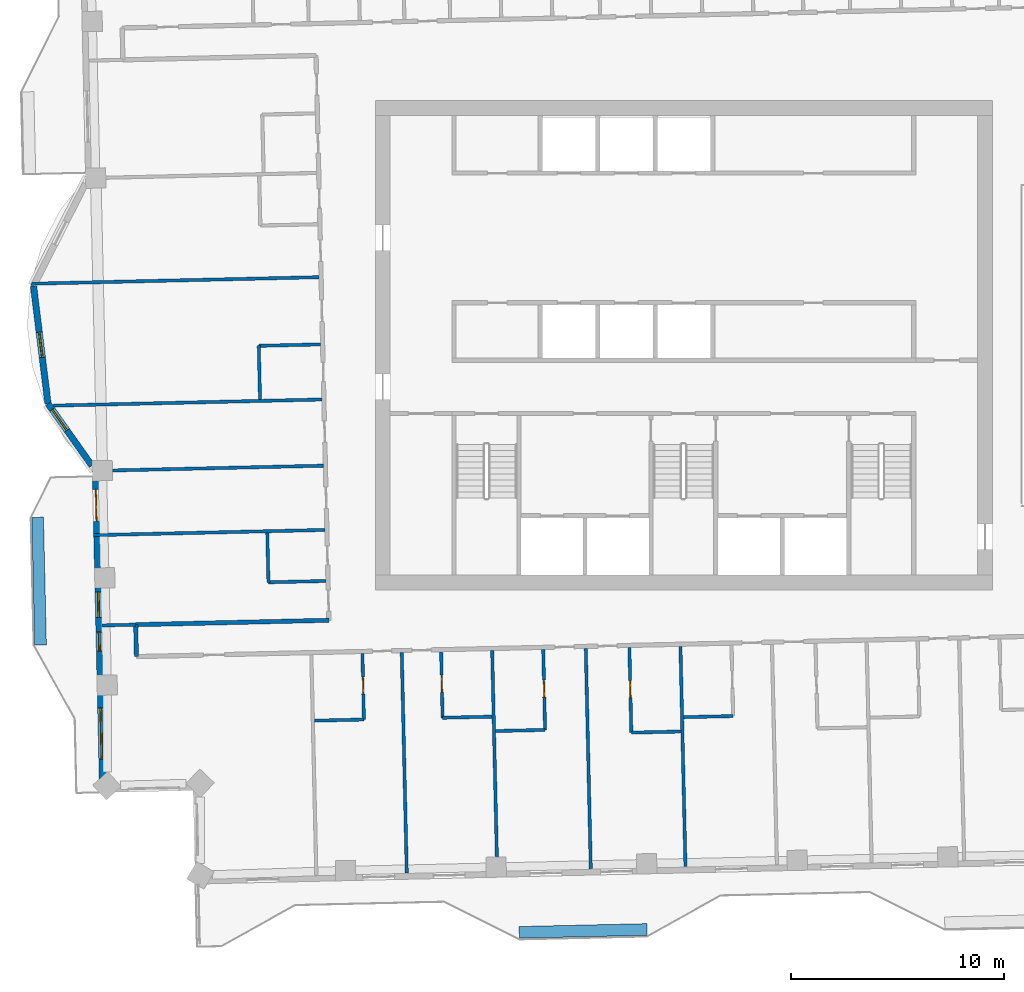
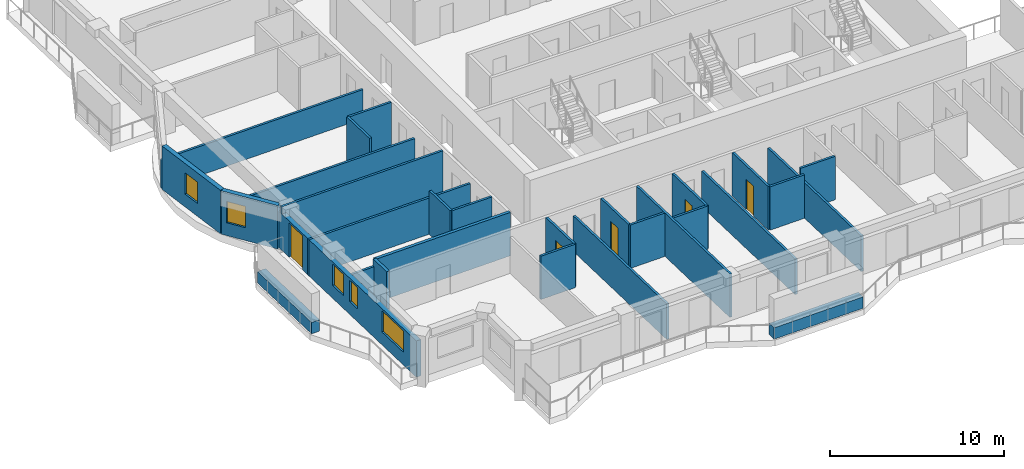
# One storey, part 8 of 20: 29 walls, 5 doors, 5 windows, 10 openings.
"""IFC4 building model written with IfcOpenShell, lengths in metres."""

from ifc_helpers import new_model, si_unit, direction, frame, frame_2d, origin, place, context, subcontext, project, spatial, rectangle, extrude, material, layer, layer_set, type_object, element, fill, save


model = new_model("IFC4")

# Units and contexts
model_context = context("Model", 3, precision=1e-05, world=origin(), true_north=direction((0.0, 1.0)))
body_context = subcontext(model_context, "Body", "Model", "MODEL_VIEW")
ifc_project = project(units=[si_unit("LENGTHUNIT", "METRE"), si_unit("AREAUNIT", "SQUARE_METRE"), si_unit("VOLUMEUNIT", "CUBIC_METRE"), si_unit("PLANEANGLEUNIT", "RADIAN"), si_unit("MASSUNIT", "GRAM", prefix="KILO")], contexts=[model_context])

# Site, building, storey
site_placement = place(None, origin())
site = spatial("IfcSite", under=ifc_project, at=site_placement, CompositionType="ELEMENT")
building_placement = place(site_placement, origin())
building = spatial("IfcBuilding", under=site, at=building_placement, Name="Mangrove Gate Tower", CompositionType="ELEMENT")
storey_placement = place(building_placement, frame((0.0, 0.0, 279.89990234375)))
storey = spatial("IfcBuildingStorey", under=building, at=storey_placement, Name="L71", CompositionType="ELEMENT", Elevation=279.89990234375)

# Walls
ifc_material_1 = material(Name="Gypsum board on steel stud, EI 60", Category="steel")
ifc_layer_1 = layer(ifc_material_1, 0.199951171875)
ifc_layer_set_1 = layer_set([ifc_layer_1], Name="Corridor wall EI 60")
wall_type_1 = type_object("IfcWallType", Name="Corridor wall EI 60", PredefinedType="PARTITIONING", material=ifc_layer_set_1)
wall_1_placement = place(storey_placement, frame((-25.72802734375, -14.6240234375, 0.0), z_axis=(0.0, 0.0, 1.0), x_axis=(-0.022632637625, 0.99974384905, 0.0)))
element("IfcWall", 1, at=wall_1_placement, inside=storey, type_object=wall_type_1, Name="WALL-L71-029", PredefinedType="PARTITIONING", context=body_context, shape_type="SweptSolid", body=[
    extrude(rectangle(XDim=1.49951171875, YDim=0.199951171875, at=frame_2d((0.749755859375, 0.0))), origin(), (0.0, 0.0, 1.0), 3.050048828125),
])
wall_2_placement = place(storey_placement, frame((-25.764892578125, -13.125, 0.0), z_axis=(0.0, 0.0, 1.0), x_axis=(0.999740502457, 0.022779985654, 0.0)))
element("IfcWall", 2, at=wall_2_placement, inside=storey, type_object=wall_type_1, Name="WALL-L71-032", PredefinedType="PARTITIONING", context=body_context, shape_type="SweptSolid", body=[
    extrude(rectangle(XDim=9.08837890625, YDim=0.199951171875, at=frame_2d((4.544189453125, 0.0))), origin(), (0.0, 0.0, 1.0), 3.050048828125),
])

# Wall, opening, window
ifc_material_2 = material(Name="Limestone", Category="masonry")
ifc_layer_2 = layer(ifc_material_2, 0.0400390625, Name="Limestone cladding")
ifc_material_3 = material(Name="Ventilated air gap")
ifc_layer_3 = layer(ifc_material_3, 0.0400390625, Name="Ventilated cavity")
ifc_material_4 = material(Name="Mineral wool insulation")
ifc_layer_4 = layer(ifc_material_4, 0.06005859375, Name="Insulation")
ifc_material_5 = material(Name="Breather membrane")
ifc_layer_5 = layer(ifc_material_5, 0.001953125, Name="Breather membrane")
ifc_material_6 = material(Name="Concrete C20/25 blockwork", Category="masonry")
ifc_layer_6 = layer(ifc_material_6, 0.14990234375, Name="Blockwork backing wall")
ifc_material_7 = material(Name="Gypsum plaster")
ifc_layer_7 = layer(ifc_material_7, 0.008056640625, Name="Internal plaster")
ifc_layer_set_2 = layer_set([ifc_layer_2, ifc_layer_3, ifc_layer_4, ifc_layer_5, ifc_layer_6, ifc_layer_7], Name="External wall 300 limestone cladding")
wall_type_2 = type_object("IfcWallType", Name="External wall 300 limestone cladding", PredefinedType="SOLIDWALL", material=ifc_layer_set_2)
wall_3_placement = place(storey_placement, frame((-30.56396484375, 2.7939453125, 0.0), z_axis=(0.0, 0.0, 1.0), x_axis=(0.122163831021, -0.992509948761, 0.0)))
wall_3 = element("IfcWall", 3, at=wall_3_placement, inside=storey, type_object=wall_type_2, Name="WALL-L71-W9f2", PredefinedType="SOLIDWALL", context=body_context, shape_type="SweptSolid", body=[
    extrude(rectangle(XDim=5.57373046875, YDim=0.300048828125, at=frame_2d((2.786865234375, 0.0))), origin(), (0.0, 0.0, 1.0), 3.050048828125),
])
opening_1_placement = place(wall_3_placement, frame((2.18701171875, 0.0, 0.89990234375)))
opening_1 = element("IfcOpeningElement", 4, at=opening_1_placement, cuts=wall_3, Name="Opening W1", PredefinedType="OPENING", context=body_context, shape_type="SweptSolid", body=[
    extrude(rectangle(XDim=1.199951171875, YDim=1.5, at=frame_2d((0.60009765625, 0.75))), frame((0.0, 0.159912109375, 0.0), z_axis=(0.0, -1.0, 0.0), x_axis=(1.0, 0.0, 0.0)), (0.0, 0.0, 1.0), 0.320068359375),
])
ifc_material_8 = material(Name="Aluminium frame with double-glazed low-e glass", Category="aluminium")
window_type_1 = type_object("IfcWindowType", Name="Side lite 1200x1500", PartitioningType="SINGLE_PANEL", PredefinedType="WINDOW", material=ifc_material_8)
window_1_placement = place(opening_1_placement, origin())
window_1 = element("IfcWindow", 5, at=window_1_placement, inside=storey, type_object=window_type_1, Name="WIN-L71-W9f2", OverallHeight=1.5, OverallWidth=1.199951171875, PartitioningType="SINGLE_PANEL", PredefinedType="WINDOW", context=body_context, shape_type="SweptSolid", body=[
    extrude(rectangle(XDim=1.199951171875, YDim=1.5, at=frame_2d((0.60009765625, 0.75))), frame((0.0, 0.030029296875, 0.0), z_axis=(0.0, -1.0, 0.0), x_axis=(1.0, 0.0, 0.0)), (0.0, 0.0, 1.0), 0.06005859375),
])
fill(opening_1, window_1)

wall_4_placement = place(storey_placement, frame((-29.883056640625, -2.738037109375, 0.0), z_axis=(0.0, 0.0, 1.0), x_axis=(0.578095163598, -0.815969351033, 0.0)))
wall_4 = element("IfcWall", 6, at=wall_4_placement, inside=storey, type_object=wall_type_2, Name="WALL-L71-W9f3", PredefinedType="SOLIDWALL", context=body_context, shape_type="SweptSolid", body=[
    extrude(rectangle(XDim=3.568603515625, YDim=0.300048828125, at=frame_2d((1.7841796875, 0.0))), origin(), (0.0, 0.0, 1.0), 3.050048828125),
])
opening_2_placement = place(wall_4_placement, frame((0.337890625, 0.0, 0.89990234375)))
opening_2 = element("IfcOpeningElement", 7, at=opening_2_placement, cuts=wall_4, Name="Opening W1", PredefinedType="OPENING", context=body_context, shape_type="SweptSolid", body=[
    extrude(rectangle(XDim=1.199951171875, YDim=1.5, at=frame_2d((0.60009765625, 0.75))), frame((0.0, 0.159912109375, 0.0), z_axis=(0.0, -1.0, 0.0), x_axis=(1.0, 0.0, 0.0)), (0.0, 0.0, 1.0), 0.320068359375),
])
window_2_placement = place(opening_2_placement, origin())
window_2 = element("IfcWindow", 8, at=window_2_placement, inside=storey, type_object=window_type_1, Name="WIN-L71-W9f3", OverallHeight=1.5, OverallWidth=1.199951171875, PartitioningType="SINGLE_PANEL", PredefinedType="WINDOW", context=body_context, shape_type="SweptSolid", body=[
    extrude(rectangle(XDim=1.199951171875, YDim=1.5, at=frame_2d((0.60009765625, 0.75))), frame((0.0, 0.030029296875, 0.0), z_axis=(0.0, -1.0, 0.0), x_axis=(1.0, 0.0, 0.0)), (0.0, 0.0, 1.0), 0.06005859375),
])
fill(opening_2, window_2)

# Wall, openings, door, windows
wall_5_placement = place(storey_placement, frame((-27.6650390625, -5.416015625, 0.0), z_axis=(0.0, 0.0, 1.0), x_axis=(0.022660024814, -0.999743228672, 0.0)))
wall_5 = element("IfcWall", 9, at=wall_5_placement, inside=storey, type_object=wall_type_2, Name="WALL-L71-W10s1", PredefinedType="SOLIDWALL", context=body_context, shape_type="SweptSolid", body=[
    extrude(rectangle(XDim=15.449951171875, YDim=0.300048828125, at=frame_2d((7.72509765625, 0.0))), origin(), (0.0, 0.0, 1.0), 2.550048828125),
])
opening_3_placement = place(wall_5_placement, frame((1.35009765625, 0.0, 0.0)))
opening_3 = element("IfcOpeningElement", 10, at=opening_3_placement, cuts=wall_5, Name="Opening BD1", PredefinedType="OPENING", context=body_context, shape_type="SweptSolid", body=[
    extrude(rectangle(XDim=1.5, YDim=2.39990234375, at=frame_2d((0.75, 1.199951171875))), frame((0.0, 0.159912109375, 0.0), z_axis=(0.0, -1.0, 0.0), x_axis=(1.0, 0.0, 0.0)), (0.0, 0.0, 1.0), 0.320068359375),
])
opening_4_placement = place(wall_5_placement, frame((6.1708984375, 0.0, 0.89990234375)))
opening_4 = element("IfcOpeningElement", 11, at=opening_4_placement, cuts=wall_5, Name="Opening W1", PredefinedType="OPENING", context=body_context, shape_type="SweptSolid", body=[
    extrude(rectangle(XDim=1.199951171875, YDim=1.5, at=frame_2d((0.60009765625, 0.75))), frame((0.0, 0.159912109375, 0.0), z_axis=(0.0, -1.0, 0.0), x_axis=(1.0, 0.0, 0.0)), (0.0, 0.0, 1.0), 0.320068359375),
])
opening_5_placement = place(wall_5_placement, frame((8.050048828125, 0.0, 0.89990234375)))
opening_5 = element("IfcOpeningElement", 12, at=opening_5_placement, cuts=wall_5, Name="Opening W5", PredefinedType="OPENING", context=body_context, shape_type="SweptSolid", body=[
    extrude(rectangle(XDim=0.89990234375, YDim=1.5, at=frame_2d((0.449951171875, 0.75))), frame((0.0, 0.159912109375, 0.0), z_axis=(0.0, -1.0, 0.0), x_axis=(1.0, 0.0, 0.0)), (0.0, 0.0, 1.0), 0.320068359375),
])
opening_6_placement = place(wall_5_placement, frame((11.625, 0.0, 0.89990234375)))
opening_6 = element("IfcOpeningElement", 13, at=opening_6_placement, cuts=wall_5, Name="Opening W2", PredefinedType="OPENING", context=body_context, shape_type="SweptSolid", body=[
    extrude(rectangle(XDim=2.39990234375, YDim=1.5, at=frame_2d((1.199951171875, 0.75))), frame((0.0, 0.159912109375, 0.0), z_axis=(0.0, -1.0, 0.0), x_axis=(1.0, 0.0, 0.0)), (0.0, 0.0, 1.0), 0.320068359375),
])
ifc_material_9 = material(Name="Aluminium frame with laminated clear glass", Category="aluminium")
door_type_1 = type_object("IfcDoorType", Name="Balcony sliding door 1500x2400", OperationType="SLIDING_TO_LEFT", PredefinedType="DOOR", material=ifc_material_9)
door_1_placement = place(opening_3_placement, origin())
door_1 = element("IfcDoor", 14, at=door_1_placement, inside=storey, type_object=door_type_1, Name="DOOR-L71-W10-1", OperationType="SLIDING_TO_LEFT", OverallHeight=2.39990234375, OverallWidth=1.5, PredefinedType="DOOR", context=body_context, shape_type="SweptSolid", body=[
    extrude(rectangle(XDim=1.5, YDim=2.39990234375, at=frame_2d((0.75, 1.199951171875))), frame((0.0, 0.02490234375, 0.0), z_axis=(0.0, -1.0, 0.0), x_axis=(1.0, 0.0, 0.0)), (0.0, 0.0, 1.0), 0.050048828125),
])
fill(opening_3, door_1)
ifc_material_10 = material(Name="Aluminium frame with double-glazed low-e glass", Category="aluminium")
window_type_2 = type_object("IfcWindowType", Name="Corner room window 2400x1500", PartitioningType="DOUBLE_PANEL_VERTICAL", PredefinedType="WINDOW", material=ifc_material_10)
window_3_placement = place(opening_6_placement, origin())
window_3 = element("IfcWindow", 15, at=window_3_placement, inside=storey, type_object=window_type_2, Name="WIN-L71-W10-4", OverallHeight=1.5, OverallWidth=2.39990234375, PartitioningType="DOUBLE_PANEL_VERTICAL", PredefinedType="WINDOW", context=body_context, shape_type="SweptSolid", body=[
    extrude(rectangle(XDim=2.39990234375, YDim=1.5, at=frame_2d((1.199951171875, 0.75))), frame((0.0, 0.030029296875, 0.0), z_axis=(0.0, -1.0, 0.0), x_axis=(1.0, 0.0, 0.0)), (0.0, 0.0, 1.0), 0.06005859375),
])
fill(opening_6, window_3)
ifc_material_11 = material(Name="Aluminium frame with double-glazed low-e glass", Category="aluminium")
window_type_3 = type_object("IfcWindowType", Name="Narrow window 900x1500", PartitioningType="SINGLE_PANEL", PredefinedType="WINDOW", material=ifc_material_11)
window_4_placement = place(opening_5_placement, origin())
window_4 = element("IfcWindow", 16, at=window_4_placement, inside=storey, type_object=window_type_3, Name="WIN-L71-W10-3", OverallHeight=1.5, OverallWidth=0.89990234375, PartitioningType="SINGLE_PANEL", PredefinedType="WINDOW", context=body_context, shape_type="SweptSolid", body=[
    extrude(rectangle(XDim=0.89990234375, YDim=1.5, at=frame_2d((0.449951171875, 0.75))), frame((0.0, 0.030029296875, 0.0), z_axis=(0.0, -1.0, 0.0), x_axis=(1.0, 0.0, 0.0)), (0.0, 0.0, 1.0), 0.06005859375),
])
fill(opening_5, window_4)
window_5_placement = place(opening_4_placement, origin())
window_5 = element("IfcWindow", 17, at=window_5_placement, inside=storey, type_object=window_type_1, Name="WIN-L71-W10-2", OverallHeight=1.5, OverallWidth=1.199951171875, PartitioningType="SINGLE_PANEL", PredefinedType="WINDOW", context=body_context, shape_type="SweptSolid", body=[
    extrude(rectangle(XDim=1.199951171875, YDim=1.5, at=frame_2d((0.60009765625, 0.75))), frame((0.0, 0.030029296875, 0.0), z_axis=(0.0, -1.0, 0.0), x_axis=(1.0, 0.0, 0.0)), (0.0, 0.0, 1.0), 0.06005859375),
])
fill(opening_4, window_5)

# Walls
ifc_material_12 = material(Name="Gypsum board on steel stud, EI 60", Category="steel")
ifc_layer_8 = layer(ifc_material_12, 0.14990234375)
ifc_layer_set_3 = layer_set([ifc_layer_8], Name="Party wall 150 EI 60")
wall_type_3 = type_object("IfcWallType", Name="Party wall 150 EI 60", PredefinedType="PARTITIONING", material=ifc_layer_set_3)
wall_6_placement = place(storey_placement, frame((-13.02392578125, -24.7890625, 0.0), z_axis=(0.0, 0.0, 1.0), x_axis=(-0.022713904397, 0.999742005993, 0.0)))
element("IfcWall", 18, at=wall_6_placement, inside=storey, type_object=wall_type_3, Name="WALL-L71-002", PredefinedType="PARTITIONING", context=body_context, shape_type="SweptSolid", body=[
    extrude(rectangle(XDim=10.350830078125, YDim=0.14990234375, at=frame_2d((5.17529296875, 0.0))), origin(), (0.0, 0.0, 1.0), 2.5),
])
wall_7_placement = place(storey_placement, frame((-8.77490234375, -24.69189453125, 0.0), z_axis=(0.0, 0.0, 1.0), x_axis=(-0.022716582742, 0.999741945138, 0.0)))
element("IfcWall", 19, at=wall_7_placement, inside=storey, type_object=wall_type_3, Name="WALL-L71-003", PredefinedType="PARTITIONING", context=body_context, shape_type="SweptSolid", body=[
    extrude(rectangle(XDim=10.349609375, YDim=0.14990234375, at=frame_2d((5.1748046875, 0.0))), origin(), (0.0, 0.0, 1.0), 3.050048828125),
])
for number, where, z_axis, x_axis, name in (
    (20, (-4.3759765625, -24.593017578125, 0.0), (0.0, 0.0, 1.0), (-0.022714440015, 0.999741993824, 0.0), "WALL-L71-004"),
    (21, (0.072998046875, -24.491943359375, 0.0), (0.0, 0.0, 1.0), (-0.022714440015, 0.999741993824, 0.0), "WALL-L71-005"),
):
    element("IfcWall", number, at=place(storey_placement, frame(where, z_axis=z_axis, x_axis=x_axis)), inside=storey, type_object=wall_type_3, Name=name, PredefinedType="PARTITIONING", context=body_context, shape_type="SweptSolid", body=[
        extrude(rectangle(XDim=10.3505859375, YDim=0.14990234375, at=frame_2d((5.17529296875, 0.0))), origin(), (0.0, 0.0, 1.0), 2.5),
    ])

# Wall, opening, door
wall_8_placement = place(storey_placement, frame((-2.470947265625, -18.197021484375, 0.0), z_axis=(0.0, 0.0, 1.0), x_axis=(-0.022765770952, 0.999740826251, 0.0)))
wall_8 = element("IfcWall", 22, at=wall_8_placement, inside=storey, type_object=wall_type_3, Name="WALL-L71-011", PredefinedType="PARTITIONING", context=body_context, shape_type="SweptSolid", body=[
    extrude(rectangle(XDim=4.0, YDim=0.14990234375, at=frame_2d((2.0, 0.0))), origin(), (0.0, 0.0, 1.0), 3.050048828125),
])
opening_7_placement = place(wall_8_placement, frame((1.64990234375, 0.0, 0.0)))
opening_7 = element("IfcOpeningElement", 23, at=opening_7_placement, cuts=wall_8, Name="Opening ED", PredefinedType="OPENING", context=body_context, shape_type="SweptSolid", body=[
    extrude(rectangle(XDim=0.800048828125, YDim=2.10009765625, at=frame_2d((0.39990234375, 1.050048828125))), frame((0.0, 0.0849609375, 0.0), z_axis=(0.0, -1.0, 0.0), x_axis=(1.0, 0.0, 0.0)), (0.0, 0.0, 1.0), 0.169921875),
])
ifc_material_13 = material(Name="Timber door leaf", Category="wood")
door_type_2 = type_object("IfcDoorType", Name="En-suite door 800", OperationType="SINGLE_SWING_LEFT", PredefinedType="DOOR", material=ifc_material_13)
door_2_placement = place(opening_7_placement, origin())
door_2 = element("IfcDoor", 24, at=door_2_placement, inside=storey, type_object=door_type_2, Name="DOOR-L71-ENS-c104", OperationType="SINGLE_SWING_RIGHT", OverallHeight=2.10009765625, OverallWidth=0.800048828125, PredefinedType="DOOR", context=body_context, shape_type="SweptSolid", body=[
    extrude(rectangle(XDim=0.800048828125, YDim=2.10009765625, at=frame_2d((0.39990234375, 1.050048828125))), frame((0.0, 0.02490234375, 0.0), z_axis=(0.0, -1.0, 0.0), x_axis=(1.0, 0.0, 0.0)), (0.0, 0.0, 1.0), 0.050048828125),
])
fill(opening_7, door_2)

# Walls
wall_9_placement = place(storey_placement, frame((-2.468994140625, -18.197021484375, 0.0), z_axis=(0.0, 0.0, 1.0), x_axis=(0.999749954681, 0.022361308448, 0.0)))
element("IfcWall", 25, at=wall_9_placement, inside=storey, type_object=wall_type_3, Name="WALL-L71-012", PredefinedType="PARTITIONING", context=body_context, shape_type="SweptSolid", body=[
    extrude(rectangle(XDim=2.325439453125, YDim=0.14990234375, at=frame_2d((1.16259765625, 0.0))), origin(), (0.0, 0.0, 1.0), 3.050048828125),
])
wall_10_placement = place(storey_placement, frame((-8.846923828125, -18.1220703125, 0.0), z_axis=(0.0, 0.0, 1.0), x_axis=(0.999740260747, 0.02279059109, 0.0)))
element("IfcWall", 26, at=wall_10_placement, inside=storey, type_object=wall_type_3, Name="WALL-L71-015", PredefinedType="PARTITIONING", context=body_context, shape_type="SweptSolid", body=[
    extrude(rectangle(XDim=2.324462890625, YDim=0.14990234375, at=frame_2d((1.162109375, 0.0))), origin(), (0.0, 0.0, 1.0), 3.050048828125),
])

# Wall, opening, door
wall_11_placement = place(storey_placement, frame((-6.52490234375, -18.069091796875, 0.0), z_axis=(0.0, 0.0, 1.0), x_axis=(-0.022540947495, 0.999745920565, 0.0)))
wall_11 = element("IfcWall", 27, at=wall_11_placement, inside=storey, type_object=wall_type_3, Name="WALL-L71-016", PredefinedType="PARTITIONING", context=body_context, shape_type="SweptSolid", body=[
    extrude(rectangle(XDim=3.780029296875, YDim=0.14990234375, at=frame_2d((1.89013671875, 0.0))), origin(), (0.0, 0.0, 1.0), 3.050048828125),
])
opening_8_placement = place(wall_11_placement, frame((1.5400390625, 0.0, 0.0)))
opening_8 = element("IfcOpeningElement", 28, at=opening_8_placement, cuts=wall_11, Name="Opening ED", PredefinedType="OPENING", context=body_context, shape_type="SweptSolid", body=[
    extrude(rectangle(XDim=0.800048828125, YDim=2.10009765625, at=frame_2d((0.39990234375, 1.050048828125))), frame((0.0, 0.0849609375, 0.0), z_axis=(0.0, -1.0, 0.0), x_axis=(1.0, 0.0, 0.0)), (0.0, 0.0, 1.0), 0.169921875),
])
door_3_placement = place(opening_8_placement, origin())
door_3 = element("IfcDoor", 29, at=door_3_placement, inside=storey, type_object=door_type_2, Name="DOOR-L71-ENS-c103", OperationType="SINGLE_SWING_LEFT", OverallHeight=2.10009765625, OverallWidth=0.800048828125, PredefinedType="DOOR", context=body_context, shape_type="SweptSolid", body=[
    extrude(rectangle(XDim=0.800048828125, YDim=2.10009765625, at=frame_2d((0.39990234375, 1.050048828125))), frame((0.0, 0.02490234375, 0.0), z_axis=(0.0, -1.0, 0.0), x_axis=(1.0, 0.0, 0.0)), (0.0, 0.0, 1.0), 0.050048828125),
])
fill(opening_8, door_3)

# Walls
wall_12_placement = place(storey_placement, frame((-0.010009765625, -17.470947265625, 0.0), z_axis=(0.0, 0.0, 1.0), x_axis=(0.999749954681, 0.022361308448, 0.0)))
element("IfcWall", 30, at=wall_12_placement, inside=storey, type_object=wall_type_3, Name="WALL-L71-019", PredefinedType="PARTITIONING", context=body_context, shape_type="SweptSolid", body=[
    extrude(rectangle(XDim=2.325439453125, YDim=0.14990234375, at=frame_2d((1.16259765625, 0.0))), origin(), (0.0, 0.0, 1.0), 3.050048828125),
])
wall_13_placement = place(storey_placement, frame((-17.360107421875, -17.635009765625, 0.0), z_axis=(0.0, 0.0, 1.0), x_axis=(0.99974031529, 0.022788198363, 0.0)))
element("IfcWall", 31, at=wall_13_placement, inside=storey, type_object=wall_type_3, Name="WALL-L71-024", PredefinedType="PARTITIONING", context=body_context, shape_type="SweptSolid", body=[
    extrude(rectangle(XDim=2.32470703125, YDim=0.14990234375, at=frame_2d((1.162353515625, 0.0))), origin(), (0.0, 0.0, 1.0), 3.050048828125),
])

# Wall, opening, door
wall_14_placement = place(storey_placement, frame((-15.0380859375, -17.58203125, 0.0), z_axis=(0.0, 0.0, 1.0), x_axis=(-0.022524613091, 0.999746288718, 0.0)))
wall_14 = element("IfcWall", 32, at=wall_14_placement, inside=storey, type_object=wall_type_3, Name="WALL-L71-025", PredefinedType="PARTITIONING", context=body_context, shape_type="SweptSolid", body=[
    extrude(rectangle(XDim=3.099853515625, YDim=0.14990234375, at=frame_2d((1.5498046875, 0.0))), origin(), (0.0, 0.0, 1.0), 3.050048828125),
])
opening_9_placement = place(wall_14_placement, frame((1.199951171875, 0.0, 0.0)))
opening_9 = element("IfcOpeningElement", 33, at=opening_9_placement, cuts=wall_14, Name="Opening ED", PredefinedType="OPENING", context=body_context, shape_type="SweptSolid", body=[
    extrude(rectangle(XDim=0.800048828125, YDim=2.10009765625, at=frame_2d((0.39990234375, 1.050048828125))), frame((0.0, 0.0849609375, 0.0), z_axis=(0.0, -1.0, 0.0), x_axis=(1.0, 0.0, 0.0)), (0.0, 0.0, 1.0), 0.169921875),
])
door_4_placement = place(opening_9_placement, origin())
door_4 = element("IfcDoor", 34, at=door_4_placement, inside=storey, type_object=door_type_2, Name="DOOR-L71-ENS-c101", OperationType="SINGLE_SWING_LEFT", OverallHeight=2.10009765625, OverallWidth=0.800048828125, PredefinedType="DOOR", context=body_context, shape_type="SweptSolid", body=[
    extrude(rectangle(XDim=0.800048828125, YDim=2.10009765625, at=frame_2d((0.39990234375, 1.050048828125))), frame((0.0, 0.02490234375, 0.0), z_axis=(0.0, -1.0, 0.0), x_axis=(1.0, 0.0, 0.0)), (0.0, 0.0, 1.0), 0.050048828125),
])
fill(opening_9, door_4)

wall_15_placement = place(storey_placement, frame((-11.339111328125, -17.498046875, 0.0), z_axis=(0.0, 0.0, 1.0), x_axis=(-0.022524613091, 0.999746288718, 0.0)))
wall_15 = element("IfcWall", 35, at=wall_15_placement, inside=storey, type_object=wall_type_3, Name="WALL-L71-026", PredefinedType="PARTITIONING", context=body_context, shape_type="SweptSolid", body=[
    extrude(rectangle(XDim=3.099853515625, YDim=0.14990234375, at=frame_2d((1.5498046875, 0.0))), origin(), (0.0, 0.0, 1.0), 3.050048828125),
])
opening_10_placement = place(wall_15_placement, frame((1.199951171875, 0.0, 0.0)))
opening_10 = element("IfcOpeningElement", 36, at=opening_10_placement, cuts=wall_15, Name="Opening ED", PredefinedType="OPENING", context=body_context, shape_type="SweptSolid", body=[
    extrude(rectangle(XDim=0.800048828125, YDim=2.10009765625, at=frame_2d((0.39990234375, 1.050048828125))), frame((0.0, 0.0849609375, 0.0), z_axis=(0.0, -1.0, 0.0), x_axis=(1.0, 0.0, 0.0)), (0.0, 0.0, 1.0), 0.169921875),
])
door_5_placement = place(opening_10_placement, origin())
door_5 = element("IfcDoor", 37, at=door_5_placement, inside=storey, type_object=door_type_2, Name="DOOR-L71-ENS-c102", OperationType="SINGLE_SWING_RIGHT", OverallHeight=2.10009765625, OverallWidth=0.800048828125, PredefinedType="DOOR", context=body_context, shape_type="SweptSolid", body=[
    extrude(rectangle(XDim=0.800048828125, YDim=2.10009765625, at=frame_2d((0.39990234375, 1.050048828125))), frame((0.0, 0.02490234375, 0.0), z_axis=(0.0, -1.0, 0.0), x_axis=(1.0, 0.0, 0.0)), (0.0, 0.0, 1.0), 0.050048828125),
])
fill(opening_10, door_5)

# Walls
wall_16_placement = place(storey_placement, frame((-11.3369140625, -17.498046875, 0.0), z_axis=(0.0, 0.0, 1.0), x_axis=(0.999749744571, 0.022370700241, 0.0)))
element("IfcWall", 38, at=wall_16_placement, inside=storey, type_object=wall_type_3, Name="WALL-L71-027", PredefinedType="PARTITIONING", context=body_context, shape_type="SweptSolid", body=[
    extrude(rectangle(XDim=2.324462890625, YDim=0.14990234375, at=frame_2d((1.162109375, 0.0))), origin(), (0.0, 0.0, 1.0), 3.050048828125),
])
wall_17_placement = place(storey_placement, frame((-27.339111328125, -13.159912109375, 0.0), z_axis=(0.0, 0.0, 1.0), x_axis=(0.999754171712, 0.022171967518, 0.0)))
element("IfcWall", 39, at=wall_17_placement, inside=storey, type_object=wall_type_3, Name="WALL-L71-031", PredefinedType="PARTITIONING", context=body_context, shape_type="SweptSolid", body=[
    extrude(rectangle(XDim=1.57470703125, YDim=0.14990234375, at=frame_2d((0.787353515625, 0.0))), origin(), (0.0, 0.0, 1.0), 2.550048828125),
])
wall_18_placement = place(storey_placement, frame((-19.52490234375, -11.133056640625, 0.0), z_axis=(0.0, 0.0, 1.0), x_axis=(-0.022781023197, 0.999740478815, 0.0)))
element("IfcWall", 40, at=wall_18_placement, inside=storey, type_object=wall_type_3, Name="WALL-L71-037", PredefinedType="PARTITIONING", context=body_context, shape_type="SweptSolid", body=[
    extrude(rectangle(XDim=2.325439453125, YDim=0.14990234375, at=frame_2d((1.16259765625, 0.0))), origin(), (0.0, 0.0, 1.0), 3.050048828125),
])
wall_19_placement = place(storey_placement, frame((-19.52001953125, -11.132080078125, 0.0), z_axis=(0.0, 0.0, 1.0), x_axis=(0.999744396973, 0.02260842146, 0.0)))
element("IfcWall", 41, at=wall_19_placement, inside=storey, type_object=wall_type_3, Name="WALL-L71-038", PredefinedType="PARTITIONING", context=body_context, shape_type="SweptSolid", body=[
    extrude(rectangle(XDim=2.69970703125, YDim=0.14990234375, at=frame_2d((1.349853515625, 0.0))), origin(), (0.0, 0.0, 1.0), 3.050048828125),
])
wall_20_placement = place(storey_placement, frame((-27.736083984375, -8.91796875, 0.0), z_axis=(0.0, 0.0, 1.0), x_axis=(0.999743862053, 0.02263206324, 0.0)))
element("IfcWall", 42, at=wall_20_placement, inside=storey, type_object=wall_type_3, Name="WALL-L71-039", PredefinedType="PARTITIONING", context=body_context, shape_type="SweptSolid", body=[
    extrude(rectangle(XDim=10.86279296875, YDim=0.14990234375, at=frame_2d((5.431396484375, 0.0))), origin(), (0.0, 0.0, 1.0), 2.550048828125),
])
wall_21_placement = place(storey_placement, frame((-27.803955078125, -5.89892578125, 0.0), z_axis=(0.0, 0.0, 1.0), x_axis=(0.999743850541, 0.02263257177, 0.0)))
element("IfcWall", 43, at=wall_21_placement, inside=storey, type_object=wall_type_3, Name="WALL-L71-040", PredefinedType="PARTITIONING", context=body_context, shape_type="SweptSolid", body=[
    extrude(rectangle(XDim=10.862548828125, YDim=0.14990234375, at=frame_2d((5.43115234375, 0.0))), origin(), (0.0, 0.0, 1.0), 3.050048828125),
])
wall_22_placement = place(storey_placement, frame((-19.919921875, -2.5390625, 0.0), z_axis=(0.0, 0.0, 1.0), x_axis=(-0.023013537724, 0.999735153469, 0.0)))
element("IfcWall", 44, at=wall_22_placement, inside=storey, type_object=wall_type_3, Name="WALL-L71-041", PredefinedType="PARTITIONING", context=body_context, shape_type="SweptSolid", body=[
    extrude(rectangle(XDim=2.52490234375, YDim=0.14990234375, at=frame_2d((1.262451171875, 0.0))), origin(), (0.0, 0.0, 1.0), 3.050048828125),
])
wall_23_placement = place(storey_placement, frame((-29.634033203125, -2.830078125, 0.0), z_axis=(0.0, 0.0, 1.0), x_axis=(0.999741276056, 0.022746009531, 0.0)))
element("IfcWall", 45, at=wall_23_placement, inside=storey, type_object=wall_type_3, Name="WALL-L71-042", PredefinedType="PARTITIONING", context=body_context, shape_type="SweptSolid", body=[
    extrude(rectangle(XDim=12.622314453125, YDim=0.14990234375, at=frame_2d((6.31103515625, 0.0))), origin(), (0.0, 0.0, 1.0), 2.050048828125),
])
wall_24_placement = place(storey_placement, frame((-19.972900390625, -0.02001953125, 0.0), z_axis=(0.0, 0.0, 1.0), x_axis=(0.999741748633, 0.022725229174, 0.0)))
element("IfcWall", 46, at=wall_24_placement, inside=storey, type_object=wall_type_3, Name="WALL-L71-043", PredefinedType="PARTITIONING", context=body_context, shape_type="SweptSolid", body=[
    extrude(rectangle(XDim=2.900634765625, YDim=0.14990234375, at=frame_2d((1.4501953125, 0.0))), origin(), (0.0, 0.0, 1.0), 3.050048828125),
])
wall_25_placement = place(storey_placement, frame((-30.69189453125, 2.89794921875, 0.0), z_axis=(0.0, 0.0, 1.0), x_axis=(0.999743099019, 0.022665744279, 0.0)))
element("IfcWall", 47, at=wall_25_placement, inside=storey, type_object=wall_type_3, Name="WALL-L71-044", PredefinedType="PARTITIONING", context=body_context, shape_type="SweptSolid", body=[
    extrude(rectangle(XDim=13.55029296875, YDim=0.14990234375, at=frame_2d((6.775146484375, 0.0))), origin(), (0.0, 0.0, 1.0), 2.050048828125),
])
ifc_material_14 = material(Name="Concrete C32/40", Category="concrete")
ifc_layer_9 = layer(ifc_material_14, 0.199951171875, Name="Planter trough wall")
ifc_material_15 = material(Name="Bituminous waterproofing membrane")
ifc_layer_10 = layer(ifc_material_15, 0.0048828125, Name="Waterproofing")
ifc_material_16 = material(Name="Drainage board and gravel")
ifc_layer_11 = layer(ifc_material_16, 0.044921875, Name="Drainage layer")
ifc_material_17 = material(Name="Planting soil")
ifc_layer_12 = layer(ifc_material_17, 0.300048828125, Name="Growing medium")
ifc_layer_set_4 = layer_set([ifc_layer_9, ifc_layer_10, ifc_layer_11, ifc_layer_12], Name="Planter wall 550 C32/40")
wall_type_4 = type_object("IfcWallType", Name="Planter wall 550 C32/40", PredefinedType="USERDEFINED", material=ifc_layer_set_4)
for number, where, z_axis, x_axis, name in (
    (48, (-30.23388671875, -14.076904296875, 0.0), (0.0, 0.0, 1.0), (-0.022865581321, 0.999738548417, 0.0), "PLANTER L71 W1.1"),
    (49, (-7.739013671875, -27.583984375, 0.0), (0.0, 0.0, 1.0), (0.999743178102, 0.022662255828, 0.0), "PLANTER L71 S0.1"),
):
    element("IfcWall", number, at=place(storey_placement, frame(where, z_axis=z_axis, x_axis=x_axis)), inside=storey, type_object=wall_type_4, Name=name, ObjectType="PLANTER", PredefinedType="USERDEFINED", context=body_context, shape_type="SweptSolid", body=[
        extrude(rectangle(XDim=6.00048828125, YDim=0.550048828125, at=frame_2d((3.000244140625, 0.0))), origin(), (0.0, 0.0, 1.0), 0.800048828125),
    ])

save(model, "model.ifc")
